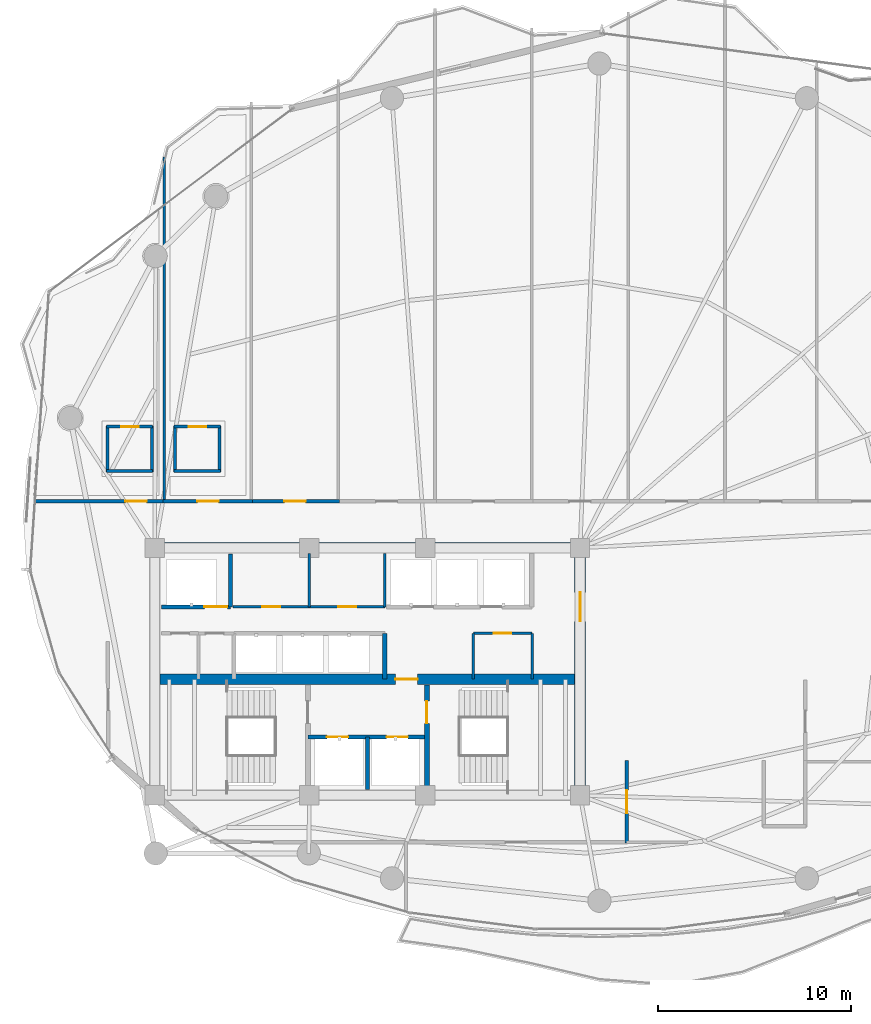
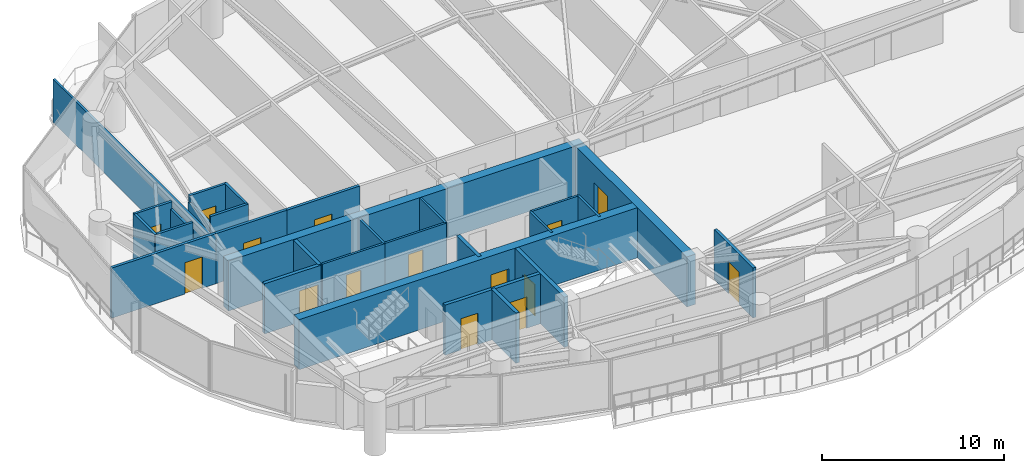
# One storey, part 25 of 30: 29 walls, 15 doors, 15 openings.
"""IFC4 building model written with IfcOpenShell, lengths in metres."""

import ifcopenshell
import ifcopenshell.guid

model = None  # the IFC model being written
_history = None  # IfcOwnerHistory: only IFC2X3 demands one
_inside = {}  # id of a spatial element -> (the spatial element, [elements in it])
_under = {}  # id of a project, library or spatial element -> (it, [spatial elements below it])
_declared = {}  # id of a project -> (the project, [libraries it declares])
_typed = {}  # id of a type object -> (the type object, [elements of that type])
_made_of = {}  # id of a material, layer set ... -> (it, [elements and type objects made of it])


def new_model(schema):
    """Start an empty IFC model of exactly this schema.

    Asked for "IFC4X3", IfcOpenShell would pick the latest addendum, in which some entities
    have other attributes; the version numbers below select the first issue.
    IFC2X3 requires an IfcOwnerHistory on every rooted entity: one is made here for all.
    """
    global model, _history
    if schema == "IFC4X3":
        model = ifcopenshell.file(schema_version=(4, 3, 0, 0))
    else:
        model = ifcopenshell.file(schema=schema)
    _inside.clear()
    _under.clear()
    _declared.clear()
    _typed.clear()
    _made_of.clear()
    _history = None
    if model.schema == "IFC2X3":
        org = make("IfcOrganization", Name="unknown")
        user = make(
            "IfcPersonAndOrganization",
            ThePerson=make("IfcPerson", FamilyName="unknown"),
            TheOrganization=org,
        )
        app = make(
            "IfcApplication",
            ApplicationDeveloper=org,
            Version="unknown",
            ApplicationFullName="unknown",
            ApplicationIdentifier="unknown",
        )
        _history = make(
            "IfcOwnerHistory",
            OwningUser=user,
            OwningApplication=app,
            ChangeAction="ADDED",
            CreationDate=0,
        )
    return model


def make(cls, **values):
    """One entity of the class cls with the attributes given. An attribute that is None is left unset."""
    return model.create_entity(
        cls, **{name: value for name, value in values.items() if value is not None}
    )


def rooted(cls, **values):
    """An entity with a GlobalId (a new one), such as an element, a storey or a relation."""
    return make(cls, GlobalId=ifcopenshell.guid.new(), OwnerHistory=_history, **values)


def si_unit(unit_type, name, prefix=None):
    """IfcSIUnit, for example si_unit("LENGTHUNIT", "METRE", prefix="MILLI")."""
    return make("IfcSIUnit", UnitType=unit_type, Prefix=prefix, Name=name)


def assignment(units):
    """IfcUnitAssignment: the units of a project."""
    return None if units is None else make("IfcUnitAssignment", Units=units)


def point(xyz):
    """IfcCartesianPoint."""
    return None if xyz is None else make("IfcCartesianPoint", Coordinates=xyz)


def direction(xyz):
    """IfcDirection."""
    return None if xyz is None else make("IfcDirection", DirectionRatios=xyz)


def frame(location, z_axis=None, x_axis=None):
    """IfcAxis2Placement3D, a coordinate frame: its origin and axes. An axis left out is left unset."""
    return make(
        "IfcAxis2Placement3D",
        Location=point(location),
        Axis=direction(z_axis),
        RefDirection=direction(x_axis),
    )


def frame_2d(location, x_axis=None):
    """IfcAxis2Placement2D, a coordinate frame in the plane: its origin and x axis."""
    return make(
        "IfcAxis2Placement2D", Location=point(location), RefDirection=direction(x_axis)
    )


def origin():
    """The frame at (0, 0, 0) with its axes left unset."""
    return frame((0.0, 0.0, 0.0))


def place(relative_to, where):
    """IfcLocalPlacement: puts the frame where relative to a parent placement (None: the world)."""
    return make(
        "IfcLocalPlacement", PlacementRelTo=relative_to, RelativePlacement=where
    )


def context(
    kind, dimensions, precision=None, world=None, true_north=None, identifier=None
):
    """IfcGeometricRepresentationContext, for example the 3D "Model" context."""
    return make(
        "IfcGeometricRepresentationContext",
        ContextIdentifier=identifier,
        ContextType=kind,
        CoordinateSpaceDimension=dimensions,
        Precision=precision,
        WorldCoordinateSystem=world,
        TrueNorth=true_north,
    )


def subcontext(parent, identifier, kind, view, scale=None):
    """IfcGeometricRepresentationSubContext, for example "Body" below "Model"."""
    return make(
        "IfcGeometricRepresentationSubContext",
        ContextIdentifier=identifier,
        ContextType=kind,
        ParentContext=parent,
        TargetScale=scale,
        TargetView=view,
    )


def project(units=None, contexts=None):
    """IfcProject with its units and contexts."""
    return rooted(
        "IfcProject",
        Name="project",
        RepresentationContexts=contexts,
        UnitsInContext=assignment(units),
    )


def spatial(cls, under=None, at=None, **own):
    """A site, building, storey or space (cls), placed at a placement, below another one or the project."""
    s = rooted(cls, ObjectPlacement=at, **own)
    if under is not None:
        _under.setdefault(under.id(), (under, []))[1].append(s)
    return s


def profile(cls, at=None, kind="AREA", **sizes):
    """A parametric profile (cls). Its sizes go by their IFC names, for example OverallWidth=200.0."""
    return make(cls, ProfileType=kind, Position=at, **sizes)


def rectangle(**sizes):
    """IfcRectangleProfileDef."""
    return profile("IfcRectangleProfileDef", **sizes)


def extrude(swept, where, along, depth):
    """IfcExtrudedAreaSolid: the profile swept, set in the frame where, extruded along a direction by depth."""
    return make(
        "IfcExtrudedAreaSolid",
        SweptArea=swept,
        Position=where,
        ExtrudedDirection=direction(along),
        Depth=depth,
    )


def shape(context_of_items, identifier, shape_type, items):
    """IfcShapeRepresentation: the items that make up one representation, for example the "Body"."""
    return make(
        "IfcShapeRepresentation",
        ContextOfItems=context_of_items,
        RepresentationIdentifier=identifier,
        RepresentationType=shape_type,
        Items=items,
    )


def material(Name=None, Category=None):
    """IfcMaterial."""
    return make("IfcMaterial", Name=Name, Category=Category)


def layer(
    of_material, thickness, ventilated=None, Name=None, Category=None, Priority=None
):
    """IfcMaterialLayer: one layer of a wall or slab, of a material (None: an air gap)."""
    return make(
        "IfcMaterialLayer",
        Material=of_material,
        LayerThickness=thickness,
        IsVentilated=ventilated,
        Name=Name,
        Category=Category,
        Priority=Priority,
    )


def layer_set(layers, Name=None):
    """IfcMaterialLayerSet."""
    return make("IfcMaterialLayerSet", MaterialLayers=layers, LayerSetName=Name)


def made_of(thing, what):
    """Note that an element or type object is made of a material, layer set ...; save() writes the relation."""
    if what is not None:
        _made_of.setdefault(what.id(), (what, []))[1].append(thing)
    return thing


def type_object(cls, material=None, **own):
    """A type object (cls), such as IfcWallType, which elements share."""
    return made_of(rooted(cls, **own), material)


def element(
    cls,
    number,
    at=None,
    inside=None,
    cuts=None,
    type_object=None,
    material=None,
    context=None,
    identifier="Body",
    shape_type=None,
    held_by="IfcProductDefinitionShape",
    body=None,
    shapes=None,
    **own,
):
    """One element of the class cls, such as IfcWall. Its Tag is "e" and its number.

    at: its placement. inside: the storey or other place that contains it. cuts: it is an
    opening in that element (IfcRelVoidsElement). A single representation is given by context,
    identifier, shape_type and body (its items); several are given by shapes. held_by: the class
    of the entity that holds the representations. save() writes the other relations.
    """
    e = rooted(cls, Tag="e%d" % number, ObjectPlacement=at, **own)
    if body is not None:
        shapes = [shape(context, identifier, shape_type, body)]
    if shapes is not None:
        e.Representation = make(held_by, Representations=shapes)
    if inside is not None:
        _inside.setdefault(inside.id(), (inside, []))[1].append(e)
    if cuts is not None:
        rooted(
            "IfcRelVoidsElement", RelatingBuildingElement=cuts, RelatedOpeningElement=e
        )
    if type_object is not None:
        _typed.setdefault(type_object.id(), (type_object, []))[1].append(e)
    return made_of(e, material)


def fill(opening, filler):
    """IfcRelFillsElement: the door or window that sits in an opening."""
    return rooted(
        "IfcRelFillsElement",
        RelatingOpeningElement=opening,
        RelatedBuildingElement=filler,
    )


def aggregate(whole, parts):
    """IfcRelAggregates: a whole, such as a stair, and the parts it consists of."""
    return rooted("IfcRelAggregates", RelatingObject=whole, RelatedObjects=parts)


def save(model, path):
    """Write the relations noted so far, then the file.

    IfcRelAggregates (storeys below a building ...), IfcRelContainedInSpatialStructure (elements
    in a storey), IfcRelDefinesByType, IfcRelAssociatesMaterial and IfcRelDeclares: one each for
    every whole, place, type object, material and project.
    """
    for whole, parts in _under.values():
        aggregate(whole, parts)
    for where, things in _inside.values():
        rooted(
            "IfcRelContainedInSpatialStructure",
            RelatedElements=things,
            RelatingStructure=where,
        )
    for kind, things in _typed.values():
        rooted("IfcRelDefinesByType", RelatedObjects=things, RelatingType=kind)
    for what, things in _made_of.values():
        rooted("IfcRelAssociatesMaterial", RelatedObjects=things, RelatingMaterial=what)
    for by, libraries in _declared.values():
        rooted("IfcRelDeclares", RelatingContext=by, RelatedDefinitions=libraries)
    model.write(path)


model = new_model("IFC4")

# Units and contexts
model_context = context("Model", 3, precision=1e-05, world=origin(), true_north=direction((0.0, 1.0)))
body_context = subcontext(model_context, "Body", "Model", "MODEL_VIEW")
ifc_project = project(units=[si_unit("LENGTHUNIT", "METRE"), si_unit("AREAUNIT", "SQUARE_METRE"), si_unit("VOLUMEUNIT", "CUBIC_METRE"), si_unit("PLANEANGLEUNIT", "RADIAN"), si_unit("MASSUNIT", "GRAM", prefix="KILO")], contexts=[model_context])

# Site, building, storey
site_placement = place(None, origin())
site = spatial("IfcSite", under=ifc_project, at=site_placement, CompositionType="ELEMENT")
building_placement = place(site_placement, origin())
building = spatial("IfcBuilding", under=site, at=building_placement, Name="Kazevale Care Tower and Concert Hall", CompositionType="ELEMENT")
storey_placement = place(building_placement, frame((0.0, 0.0, 127.800048828125)))
storey = spatial("IfcBuildingStorey", under=building, at=storey_placement, Name="L33", CompositionType="ELEMENT", Elevation=127.800048828125)

# Wall, opening, door
ifc_material_1 = material(Name="Acoustic Gypsum on Steel Stud", Category="steel")
ifc_layer_1 = layer(ifc_material_1, 0.139892578125)
ifc_layer_set_1 = layer_set([ifc_layer_1], Name="Acoustic Gypsum on Steel Stud")
wall_type_1 = type_object("IfcWallType", Name="Acoustic Care & Suite Partition 140", PredefinedType="PARTITIONING", material=ifc_layer_set_1)
wall_1_placement = place(storey_placement, frame((26.050048828125, 33.35009765625, 0.0), z_axis=(0.0, 0.0, 1.0), x_axis=(1.0, 0.0, 0.0)))
wall_1 = element("IfcWall", 1, at=wall_1_placement, inside=storey, type_object=wall_type_1, Name="wall:L33:c_rpl1_s", PredefinedType="PARTITIONING", context=body_context, shape_type="SweptSolid", body=[
    extrude(rectangle(XDim=3.949951171875, YDim=0.139892578125, at=frame_2d((1.97509765625, 0.0))), origin(), (0.0, 0.0, 1.0), 3.35986328125),
])
opening_1_placement = place(wall_1_placement, frame((1.514892578125, 0.0, 0.0)))
opening_1 = element("IfcOpeningElement", 2, at=opening_1_placement, cuts=wall_1, Name="Opening ID-900", PredefinedType="OPENING", context=body_context, shape_type="SweptSolid", body=[
    extrude(rectangle(XDim=0.919921875, YDim=2.10009765625, at=frame_2d((0.4599609375, 1.050048828125))), frame((0.0, 0.079833984375, 0.0), z_axis=(0.0, -1.0, 0.0), x_axis=(1.0, 0.0, 0.0)), (0.0, 0.0, 1.0), 0.159912109375),
])
ifc_material_2 = material(Name="Oak Timber Fire Leaf", Category="wood")
door_type_1 = type_object("IfcDoorType", Name="Bathroom & Service Door 920x2100", OperationType="NOTDEFINED", PredefinedType="DOOR", material=ifc_material_2)
door_1_placement = place(opening_1_placement, origin())
door_1 = element("IfcDoor", 3, at=door_1_placement, inside=storey, type_object=door_type_1, Name="door:L33:d_rpl1", OperationType="SINGLE_SWING_LEFT", OverallHeight=2.10009765625, OverallWidth=0.919921875, PredefinedType="DOOR", context=body_context, shape_type="SweptSolid", body=[
    extrude(rectangle(XDim=0.919921875, YDim=2.10009765625, at=frame_2d((0.4599609375, 1.050048828125))), frame((0.0, 0.02490234375, 0.0), z_axis=(0.0, -1.0, 0.0), x_axis=(1.0, 0.0, 0.0)), (0.0, 0.0, 1.0), 0.050048828125),
])
fill(opening_1, door_1)

wall_2_placement = place(storey_placement, frame((30.0, 33.35009765625, 0.0), z_axis=(0.0, 0.0, 1.0), x_axis=(1.0, 0.0, 0.0)))
wall_2 = element("IfcWall", 4, at=wall_2_placement, inside=storey, type_object=wall_type_1, Name="wall:L33:c_rpl2_s", PredefinedType="PARTITIONING", context=body_context, shape_type="SweptSolid", body=[
    extrude(rectangle(XDim=3.919921875, YDim=0.139892578125, at=frame_2d((1.9599609375, 0.0))), origin(), (0.0, 0.0, 1.0), 3.35986328125),
])
opening_2_placement = place(wall_2_placement, frame((1.5, 0.0, 0.0)))
opening_2 = element("IfcOpeningElement", 5, at=opening_2_placement, cuts=wall_2, Name="Opening ID-900", PredefinedType="OPENING", context=body_context, shape_type="SweptSolid", body=[
    extrude(rectangle(XDim=0.919921875, YDim=2.10009765625, at=frame_2d((0.4599609375, 1.050048828125))), frame((0.0, 0.079833984375, 0.0), z_axis=(0.0, -1.0, 0.0), x_axis=(1.0, 0.0, 0.0)), (0.0, 0.0, 1.0), 0.159912109375),
])
door_2_placement = place(opening_2_placement, origin())
door_2 = element("IfcDoor", 6, at=door_2_placement, inside=storey, type_object=door_type_1, Name="door:L33:d_rpl2", OperationType="SINGLE_SWING_RIGHT", OverallHeight=2.10009765625, OverallWidth=0.919921875, PredefinedType="DOOR", context=body_context, shape_type="SweptSolid", body=[
    extrude(rectangle(XDim=0.919921875, YDim=2.10009765625, at=frame_2d((0.4599609375, 1.050048828125))), frame((0.0, 0.02490234375, 0.0), z_axis=(0.0, -1.0, 0.0), x_axis=(1.0, 0.0, 0.0)), (0.0, 0.0, 1.0), 0.050048828125),
])
fill(opening_2, door_2)

# Walls
for number, where, z_axis, x_axis, name in (
    (7, (30.0, 33.35009765625, 0.0), (0.0, 0.0, 1.0), (0.0, 1.0, 0.0), "wall:L33:c_rpl_m"),
    (8, (33.89990234375, 33.35009765625, 0.0), (0.0, 0.0, 1.0), (0.0, 1.0, 0.0), "wall:L33:c_rpl_e"),
):
    element("IfcWall", number, at=place(storey_placement, frame(where, z_axis=z_axis, x_axis=x_axis)), inside=storey, type_object=wall_type_1, Name=name, PredefinedType="PARTITIONING", context=body_context, shape_type="SweptSolid", body=[
        extrude(rectangle(XDim=2.75, YDim=0.139892578125, at=frame_2d((1.375, 0.0))), origin(), (0.0, 0.0, 1.0), 3.35986328125),
    ])
for number, where, z_axis, x_axis, name in (
    (9, (38.47998046875, 29.6201171875, 0.0), (0.0, 0.0, 1.0), (0.0, 1.0, 0.0), "wall:L33:kb_ew"),
    (10, (41.52001953125, 29.6201171875, 0.0), (0.0, 0.0, 1.0), (0.0, 1.0, 0.0), "wall:L33:kb_ee"),
):
    element("IfcWall", number, at=place(storey_placement, frame(where, z_axis=z_axis, x_axis=x_axis)), inside=storey, type_object=wall_type_1, Name=name, PredefinedType="PARTITIONING", context=body_context, shape_type="SweptSolid", body=[
        extrude(rectangle(XDim=2.35986328125, YDim=0.139892578125, at=frame_2d((1.179931640625, 0.0))), origin(), (0.0, 0.0, 1.0), 3.35986328125),
    ])

# Wall, opening, door
wall_3_placement = place(storey_placement, frame((38.47998046875, 31.97998046875, 0.0), z_axis=(0.0, 0.0, 1.0), x_axis=(1.0, 0.0, 0.0)))
wall_3 = element("IfcWall", 11, at=wall_3_placement, inside=storey, type_object=wall_type_1, Name="wall:L33:kb_en", PredefinedType="PARTITIONING", context=body_context, shape_type="SweptSolid", body=[
    extrude(rectangle(XDim=3.0400390625, YDim=0.139892578125, at=frame_2d((1.52001953125, 0.0))), origin(), (0.0, 0.0, 1.0), 3.35986328125),
])
opening_3_placement = place(wall_3_placement, frame((1.044921875, 0.0, 0.0)))
opening_3 = element("IfcOpeningElement", 12, at=opening_3_placement, cuts=wall_3, Name="Opening ID-900", PredefinedType="OPENING", context=body_context, shape_type="SweptSolid", body=[
    extrude(rectangle(XDim=0.919921875, YDim=2.10009765625, at=frame_2d((0.4599609375, 1.050048828125))), frame((0.0, 0.079833984375, 0.0), z_axis=(0.0, -1.0, 0.0), x_axis=(1.0, 0.0, 0.0)), (0.0, 0.0, 1.0), 0.159912109375),
])
door_3_placement = place(opening_3_placement, origin())
door_3 = element("IfcDoor", 13, at=door_3_placement, inside=storey, type_object=door_type_1, Name="door:L33:d_kbe", OperationType="SINGLE_SWING_LEFT", OverallHeight=2.10009765625, OverallWidth=0.919921875, PredefinedType="DOOR", context=body_context, shape_type="SweptSolid", body=[
    extrude(rectangle(XDim=0.919921875, YDim=2.10009765625, at=frame_2d((0.4599609375, 1.050048828125))), frame((0.0, 0.02490234375, 0.0), z_axis=(0.0, -1.0, 0.0), x_axis=(1.0, 0.0, 0.0)), (0.0, 0.0, 1.0), 0.050048828125),
])
fill(opening_3, door_3)

# Walls
wall_4_placement = place(storey_placement, frame((22.5, 56.613037109375, 0.0), z_axis=(0.0, 0.0, 1.0), x_axis=(0.0, -1.0, 0.0)))
element("IfcWall", 14, at=wall_4_placement, inside=storey, type_object=wall_type_1, Name="wall:L33:auto_019", PredefinedType="PARTITIONING", context=body_context, shape_type="SweptSolid", body=[
    extrude(rectangle(XDim=17.818115234375, YDim=0.139892578125, at=frame_2d((8.9091796875, 0.0))), origin(), (0.0, 0.0, 1.0), 2.889892578125),
])
ifc_material_3 = material(Name="Concrete C60", Category="concrete")
ifc_layer_2 = layer(ifc_material_3, 0.550048828125)
ifc_layer_set_2 = layer_set([ifc_layer_2], Name="Concrete C60")
wall_type_2 = type_object("IfcWallType", Name="Core Shear Wall 550 C60", PredefinedType="SHEAR", material=ifc_layer_set_2)
wall_5_placement = place(storey_placement, frame((21.72509765625, 36.39990234375, 0.0), z_axis=(0.0, 0.0, 1.0), x_axis=(1.0, 0.0, 0.0)))
element("IfcWall", 15, at=wall_5_placement, inside=storey, type_object=wall_type_2, Name="wall:L33:core:N", PredefinedType="SHEAR", context=body_context, shape_type="SweptSolid", body=[
    extrude(rectangle(XDim=22.5498046875, YDim=0.550048828125, at=frame_2d((11.27490234375, 0.0))), origin(), (0.0, 0.0, 1.0), 3.35986328125),
])

# Wall, opening, door
wall_6_placement = place(storey_placement, frame((44.0, 23.875, 0.0), z_axis=(0.0, 0.0, 1.0), x_axis=(0.0, 1.0, 0.0)))
wall_6 = element("IfcWall", 16, at=wall_6_placement, inside=storey, type_object=wall_type_2, Name="wall:L33:core:E", PredefinedType="SHEAR", context=body_context, shape_type="SweptSolid", body=[
    extrude(rectangle(XDim=12.25, YDim=0.550048828125, at=frame_2d((6.125, 0.0))), origin(), (0.0, 0.0, 1.0), 3.35986328125),
])
opening_4_placement = place(wall_6_placement, frame((8.72509765625, 0.0, 0.0)))
opening_4 = element("IfcOpeningElement", 17, at=opening_4_placement, cuts=wall_6, Name="Opening FD-60D", PredefinedType="OPENING", context=body_context, shape_type="SweptSolid", body=[
    extrude(rectangle(XDim=1.5, YDim=2.14990234375, at=frame_2d((0.75, 1.074951171875))), frame((0.0, 0.284912109375, 0.0), z_axis=(0.0, -1.0, 0.0), x_axis=(1.0, 0.0, 0.0)), (0.0, 0.0, 1.0), 0.570068359375),
])
door_type_2 = type_object("IfcDoorType", Name="Double Lobby & Auditorium Fire Door 1500x2150", OperationType="NOTDEFINED", PredefinedType="DOOR", material=ifc_material_2)
door_4_placement = place(opening_4_placement, origin())
door_4 = element("IfcDoor", 18, at=door_4_placement, inside=storey, type_object=door_type_2, Name="door:L33:core_east_out", OperationType="DOUBLE_DOOR_SINGLE_SWING", OverallHeight=2.14990234375, OverallWidth=1.5, PredefinedType="DOOR", context=body_context, shape_type="SweptSolid", body=[
    extrude(rectangle(XDim=1.5, YDim=2.14990234375, at=frame_2d((0.75, 1.074951171875))), frame((0.0, 0.02490234375, 0.0), z_axis=(0.0, -1.0, 0.0), x_axis=(1.0, 0.0, 0.0)), (0.0, 0.0, 1.0), 0.050048828125),
])
fill(opening_4, door_4)

wall_7_placement = place(storey_placement, frame((22.27490234375, 29.60009765625, 0.0), z_axis=(0.0, 0.0, 1.0), x_axis=(1.0, 0.0, 0.0)))
wall_7 = element("IfcWall", 19, at=wall_7_placement, inside=storey, type_object=wall_type_2, Name="wall:L33:core:M", PredefinedType="SHEAR", context=body_context, shape_type="SweptSolid", body=[
    extrude(rectangle(XDim=21.4501953125, YDim=0.550048828125, at=frame_2d((10.72509765625, 0.0))), origin(), (0.0, 0.0, 1.0), 3.35986328125),
])
opening_5_placement = place(wall_7_placement, frame((12.175048828125, 0.0, 0.0)))
opening_5 = element("IfcOpeningElement", 20, at=opening_5_placement, cuts=wall_7, Name="Opening FD-90", PredefinedType="OPENING", context=body_context, shape_type="SweptSolid", body=[
    extrude(rectangle(XDim=1.14990234375, YDim=2.10009765625, at=frame_2d((0.574951171875, 1.050048828125))), frame((0.0, 0.284912109375, 0.0), z_axis=(0.0, -1.0, 0.0), x_axis=(1.0, 0.0, 0.0)), (0.0, 0.0, 1.0), 0.570068359375),
])
ifc_material_4 = material(Name="Steel ASTM A572 Gr 50", Category="steel")
door_type_3 = type_object("IfcDoorType", Name="Pressurized Stair & Lobby Fire Door 1150x2100", OperationType="NOTDEFINED", PredefinedType="DOOR", material=ifc_material_4)
door_5_placement = place(opening_5_placement, origin())
door_5 = element("IfcDoor", 21, at=door_5_placement, inside=storey, type_object=door_type_3, Name="door:L33:ff_to_pax", OperationType="SINGLE_SWING_LEFT", OverallHeight=2.10009765625, OverallWidth=1.14990234375, PredefinedType="DOOR", context=body_context, shape_type="SweptSolid", body=[
    extrude(rectangle(XDim=1.14990234375, YDim=2.10009765625, at=frame_2d((0.574951171875, 1.050048828125))), frame((0.0, 0.02490234375, 0.0), z_axis=(0.0, -1.0, 0.0), x_axis=(1.0, 0.0, 0.0)), (0.0, 0.0, 1.0), 0.050048828125),
])
fill(opening_5, door_5)

# Wall, openings, doors
ifc_material_5 = material(Name="Concrete C40", Category="concrete")
ifc_layer_3 = layer(ifc_material_5, 0.219970703125)
ifc_layer_set_3 = layer_set([ifc_layer_3], Name="Concrete C40")
wall_type_3 = type_object("IfcWallType", Name="Elevator Hoistway Shaft Wall 220", PredefinedType="SOLIDWALL", material=ifc_layer_set_3)
wall_8_placement = place(storey_placement, frame((29.919921875, 26.6201171875, 0.0), z_axis=(0.0, 0.0, 1.0), x_axis=(1.0, 0.0, 0.0)))
wall_8 = element("IfcWall", 22, at=wall_8_placement, inside=storey, type_object=wall_type_3, Name="wall:L33:c_ffl_n", PredefinedType="SOLIDWALL", context=body_context, shape_type="SweptSolid", body=[
    extrude(rectangle(XDim=6.16015625, YDim=0.219970703125, at=frame_2d((3.080078125, 0.0))), origin(), (0.0, 0.0, 1.0), 3.35986328125),
])
opening_6_placement = place(wall_8_placement, frame((0.989990234375, 0.0, 0.0)))
opening_6 = element("IfcOpeningElement", 23, at=opening_6_placement, cuts=wall_8, Name="Opening LD-FF", PredefinedType="OPENING", context=body_context, shape_type="SweptSolid", body=[
    extrude(rectangle(XDim=1.10009765625, YDim=2.10009765625, at=frame_2d((0.550048828125, 1.050048828125))), frame((0.0, 0.119873046875, 0.0), z_axis=(0.0, -1.0, 0.0), x_axis=(1.0, 0.0, 0.0)), (0.0, 0.0, 1.0), 0.239990234375),
])
opening_7_placement = place(wall_8_placement, frame((4.070068359375, 0.0, 0.0)))
opening_7 = element("IfcOpeningElement", 24, at=opening_7_placement, cuts=wall_8, Name="Opening LD-FF", PredefinedType="OPENING", context=body_context, shape_type="SweptSolid", body=[
    extrude(rectangle(XDim=1.10009765625, YDim=2.10009765625, at=frame_2d((0.550048828125, 1.050048828125))), frame((0.0, 0.119873046875, 0.0), z_axis=(0.0, -1.0, 0.0), x_axis=(1.0, 0.0, 0.0)), (0.0, 0.0, 1.0), 0.239990234375),
])
ifc_material_6 = material(Name="Stainless Steel 316", Category="steel")
door_type_4 = type_object("IfcDoorType", Name="Emergency Lift Sliding Landing Door 1100x2100", OperationType="NOTDEFINED", PredefinedType="DOOR", material=ifc_material_6)
door_6_placement = place(opening_6_placement, origin())
door_6 = element("IfcDoor", 25, at=door_6_placement, inside=storey, type_object=door_type_4, Name="door:L33:ld_ffl1", OperationType="SLIDING_TO_LEFT", OverallHeight=2.10009765625, OverallWidth=1.10009765625, PredefinedType="DOOR", context=body_context, shape_type="SweptSolid", body=[
    extrude(rectangle(XDim=1.10009765625, YDim=2.10009765625, at=frame_2d((0.550048828125, 1.050048828125))), frame((0.0, 0.02490234375, 0.0), z_axis=(0.0, -1.0, 0.0), x_axis=(1.0, 0.0, 0.0)), (0.0, 0.0, 1.0), 0.050048828125),
])
fill(opening_6, door_6)
door_7_placement = place(opening_7_placement, origin())
door_7 = element("IfcDoor", 26, at=door_7_placement, inside=storey, type_object=door_type_4, Name="door:L33:ld_ffl2", OperationType="SLIDING_TO_RIGHT", OverallHeight=2.10009765625, OverallWidth=1.10009765625, PredefinedType="DOOR", context=body_context, shape_type="SweptSolid", body=[
    extrude(rectangle(XDim=1.10009765625, YDim=2.10009765625, at=frame_2d((0.550048828125, 1.050048828125))), frame((0.0, 0.02490234375, 0.0), z_axis=(0.0, -1.0, 0.0), x_axis=(1.0, 0.0, 0.0)), (0.0, 0.0, 1.0), 0.050048828125),
])
fill(opening_7, door_7)

# Walls
wall_9_placement = place(storey_placement, frame((33.0, 23.89990234375, 0.0), z_axis=(0.0, 0.0, 1.0), x_axis=(0.0, 1.0, 0.0)))
element("IfcWall", 27, at=wall_9_placement, inside=storey, type_object=wall_type_3, Name="wall:L33:c_ffl_m", PredefinedType="SOLIDWALL", context=body_context, shape_type="SweptSolid", body=[
    extrude(rectangle(XDim=2.72021484375, YDim=0.219970703125, at=frame_2d((1.360107421875, 0.0))), origin(), (0.0, 0.0, 1.0), 3.35986328125),
])
wall_10_placement = place(storey_placement, frame((25.919921875, 33.35009765625, 0.0), z_axis=(0.0, 0.0, 1.0), x_axis=(0.0, 1.0, 0.0)))
element("IfcWall", 28, at=wall_10_placement, inside=storey, type_object=wall_type_3, Name="wall:L33:c_svl_e", PredefinedType="SOLIDWALL", context=body_context, shape_type="SweptSolid", body=[
    extrude(rectangle(XDim=2.72998046875, YDim=0.219970703125, at=frame_2d((1.364990234375, 0.0))), origin(), (0.0, 0.0, 1.0), 3.35986328125),
])

# Wall, opening, door
wall_11_placement = place(storey_placement, frame((22.35009765625, 33.35009765625, 0.0), z_axis=(0.0, 0.0, 1.0), x_axis=(1.0, 0.0, 0.0)))
wall_11 = element("IfcWall", 29, at=wall_11_placement, inside=storey, type_object=wall_type_3, Name="wall:L33:c_svl_s", PredefinedType="SOLIDWALL", context=body_context, shape_type="SweptSolid", body=[
    extrude(rectangle(XDim=3.56982421875, YDim=0.219970703125, at=frame_2d((1.784912109375, 0.0))), origin(), (0.0, 0.0, 1.0), 3.35986328125),
])
opening_8_placement = place(wall_11_placement, frame((2.212890625, 0.0, 0.0)))
opening_8 = element("IfcOpeningElement", 30, at=opening_8_placement, cuts=wall_11, Name="Opening LD-SV", PredefinedType="OPENING", context=body_context, shape_type="SweptSolid", body=[
    extrude(rectangle(XDim=1.199951171875, YDim=2.10009765625, at=frame_2d((0.60009765625, 1.050048828125))), frame((0.0, 0.119873046875, 0.0), z_axis=(0.0, -1.0, 0.0), x_axis=(1.0, 0.0, 0.0)), (0.0, 0.0, 1.0), 0.239990234375),
])
door_type_5 = type_object("IfcDoorType", Name="Service Lift Sliding Landing Door 1200x2100", OperationType="NOTDEFINED", PredefinedType="DOOR", material=ifc_material_6)
door_8_placement = place(opening_8_placement, origin())
door_8 = element("IfcDoor", 31, at=door_8_placement, inside=storey, type_object=door_type_5, Name="door:L33:ld_svl1", OperationType="SLIDING_TO_LEFT", OverallHeight=2.10009765625, OverallWidth=1.199951171875, PredefinedType="DOOR", context=body_context, shape_type="SweptSolid", body=[
    extrude(rectangle(XDim=1.199951171875, YDim=2.10009765625, at=frame_2d((0.60009765625, 1.050048828125))), frame((0.0, 0.02490234375, 0.0), z_axis=(0.0, -1.0, 0.0), x_axis=(1.0, 0.0, 0.0)), (0.0, 0.0, 1.0), 0.050048828125),
])
fill(opening_8, door_8)

# Wall
wall_12_placement = place(storey_placement, frame((33.89990234375, 29.6201171875, 0.0), z_axis=(0.0, 0.0, 1.0), x_axis=(0.0, 1.0, 0.0)))
element("IfcWall", 32, at=wall_12_placement, inside=storey, type_object=wall_type_3, Name="wall:L33:c_ph_e", PredefinedType="SOLIDWALL", context=body_context, shape_type="SweptSolid", body=[
    extrude(rectangle(XDim=2.35986328125, YDim=0.219970703125, at=frame_2d((1.179931640625, 0.0))), origin(), (0.0, 0.0, 1.0), 3.35986328125),
])

# Wall, opening, door
ifc_material_7 = material(Name="Concrete C40 and Acoustic Gypsum", Category="concrete")
ifc_layer_4 = layer(ifc_material_7, 0.179931640625)
ifc_layer_set_4 = layer_set([ifc_layer_4], Name="Concrete C40 and Acoustic Gypsum")
wall_type_4 = type_object("IfcWallType", Name="Fire-Rated Corridor & Party Wall 180", PredefinedType="PARTITIONING", material=ifc_layer_set_4)
wall_13_placement = place(storey_placement, frame((15.816650390625, 38.824951171875, 0.0), z_axis=(0.0, 0.0, 1.0), x_axis=(1.0, 0.0, 0.0)))
wall_13 = element("IfcWall", 33, at=wall_13_placement, inside=storey, type_object=wall_type_4, Name="wall:L33:auto_001", PredefinedType="PARTITIONING", context=body_context, shape_type="SweptSolid", body=[
    extrude(rectangle(XDim=6.748291015625, YDim=0.179931640625, at=frame_2d((3.3740234375, 0.0))), origin(), (0.0, 0.0, 1.0), 3.35986328125),
])
opening_9_placement = place(wall_13_placement, frame((4.6630859375, 0.0, 0.0)))
opening_9 = element("IfcOpeningElement", 34, at=opening_9_placement, cuts=wall_13, Name="Opening ID-1100", PredefinedType="OPENING", context=body_context, shape_type="SweptSolid", body=[
    extrude(rectangle(XDim=1.10009765625, YDim=2.10009765625, at=frame_2d((0.550048828125, 1.050048828125))), frame((0.0, 0.099853515625, 0.0), z_axis=(0.0, -1.0, 0.0), x_axis=(1.0, 0.0, 0.0)), (0.0, 0.0, 1.0), 0.199951171875),
])
door_type_6 = type_object("IfcDoorType", Name="Care Bedroom Accessible Door 1100x2100", OperationType="NOTDEFINED", PredefinedType="DOOR", material=ifc_material_2)
door_9_placement = place(opening_9_placement, origin())
door_9 = element("IfcDoor", 35, at=door_9_placement, inside=storey, type_object=door_type_6, Name="door:L33:ad_001", OperationType="SINGLE_SWING_LEFT", OverallHeight=2.10009765625, OverallWidth=1.10009765625, PredefinedType="DOOR", context=body_context, shape_type="SweptSolid", body=[
    extrude(rectangle(XDim=1.10009765625, YDim=2.10009765625, at=frame_2d((0.550048828125, 1.050048828125))), frame((0.0, 0.02490234375, 0.0), z_axis=(0.0, -1.0, 0.0), x_axis=(1.0, 0.0, 0.0)), (0.0, 0.0, 1.0), 0.050048828125),
])
fill(opening_9, door_9)

wall_14_placement = place(storey_placement, frame((22.43505859375, 38.824951171875, 0.0), z_axis=(0.0, 0.0, 1.0), x_axis=(1.0, 0.0, 0.0)))
wall_14 = element("IfcWall", 36, at=wall_14_placement, inside=storey, type_object=wall_type_4, Name="wall:L33:auto_002", PredefinedType="PARTITIONING", context=body_context, shape_type="SweptSolid", body=[
    extrude(rectangle(XDim=4.6298828125, YDim=0.179931640625, at=frame_2d((2.31494140625, 0.0))), origin(), (0.0, 0.0, 1.0), 3.35986328125),
])
opening_10_placement = place(wall_14_placement, frame((1.764892578125, 0.0, 0.0)))
opening_10 = element("IfcOpeningElement", 37, at=opening_10_placement, cuts=wall_14, Name="Opening ID-1100", PredefinedType="OPENING", context=body_context, shape_type="SweptSolid", body=[
    extrude(rectangle(XDim=1.10009765625, YDim=2.10009765625, at=frame_2d((0.550048828125, 1.050048828125))), frame((0.0, 0.099853515625, 0.0), z_axis=(0.0, -1.0, 0.0), x_axis=(1.0, 0.0, 0.0)), (0.0, 0.0, 1.0), 0.199951171875),
])
door_10_placement = place(opening_10_placement, origin())
door_10 = element("IfcDoor", 38, at=door_10_placement, inside=storey, type_object=door_type_6, Name="door:L33:ad_002", OperationType="SINGLE_SWING_LEFT", OverallHeight=2.10009765625, OverallWidth=1.10009765625, PredefinedType="DOOR", context=body_context, shape_type="SweptSolid", body=[
    extrude(rectangle(XDim=1.10009765625, YDim=2.10009765625, at=frame_2d((0.550048828125, 1.050048828125))), frame((0.0, 0.02490234375, 0.0), z_axis=(0.0, -1.0, 0.0), x_axis=(1.0, 0.0, 0.0)), (0.0, 0.0, 1.0), 0.050048828125),
])
fill(opening_10, door_10)

wall_15_placement = place(storey_placement, frame((26.93505859375, 38.824951171875, 0.0), z_axis=(0.0, 0.0, 1.0), x_axis=(1.0, 0.0, 0.0)))
wall_15 = element("IfcWall", 39, at=wall_15_placement, inside=storey, type_object=wall_type_4, Name="wall:L33:auto_003", PredefinedType="PARTITIONING", context=body_context, shape_type="SweptSolid", body=[
    extrude(rectangle(XDim=4.6298828125, YDim=0.179931640625, at=frame_2d((2.31494140625, 0.0))), origin(), (0.0, 0.0, 1.0), 3.35986328125),
])
opening_11_placement = place(wall_15_placement, frame((1.764892578125, 0.0, 0.0)))
opening_11 = element("IfcOpeningElement", 40, at=opening_11_placement, cuts=wall_15, Name="Opening ID-1100", PredefinedType="OPENING", context=body_context, shape_type="SweptSolid", body=[
    extrude(rectangle(XDim=1.10009765625, YDim=2.10009765625, at=frame_2d((0.550048828125, 1.050048828125))), frame((0.0, 0.099853515625, 0.0), z_axis=(0.0, -1.0, 0.0), x_axis=(1.0, 0.0, 0.0)), (0.0, 0.0, 1.0), 0.199951171875),
])
door_11_placement = place(opening_11_placement, origin())
door_11 = element("IfcDoor", 41, at=door_11_placement, inside=storey, type_object=door_type_6, Name="door:L33:ad_003", OperationType="SINGLE_SWING_LEFT", OverallHeight=2.10009765625, OverallWidth=1.10009765625, PredefinedType="DOOR", context=body_context, shape_type="SweptSolid", body=[
    extrude(rectangle(XDim=1.10009765625, YDim=2.10009765625, at=frame_2d((0.550048828125, 1.050048828125))), frame((0.0, 0.02490234375, 0.0), z_axis=(0.0, -1.0, 0.0), x_axis=(1.0, 0.0, 0.0)), (0.0, 0.0, 1.0), 0.050048828125),
])
fill(opening_11, door_11)

wall_16_placement = place(storey_placement, frame((46.425048828125, 25.405029296875, 0.0), z_axis=(0.0, 0.0, 1.0), x_axis=(0.0, -1.0, 0.0)))
wall_16 = element("IfcWall", 42, at=wall_16_placement, inside=storey, type_object=wall_type_4, Name="wall:L33:auto_011", PredefinedType="PARTITIONING", context=body_context, shape_type="SweptSolid", body=[
    extrude(rectangle(XDim=4.260009765625, YDim=0.179931640625, at=frame_2d((2.1298828125, 0.0))), origin(), (0.0, 0.0, 1.0), 3.35986328125),
])
opening_12_placement = place(wall_16_placement, frame((1.530029296875, 0.0, 0.0)))
opening_12 = element("IfcOpeningElement", 43, at=opening_12_placement, cuts=wall_16, Name="Opening ID-1200", PredefinedType="OPENING", context=body_context, shape_type="SweptSolid", body=[
    extrude(rectangle(XDim=1.199951171875, YDim=2.14990234375, at=frame_2d((0.60009765625, 1.074951171875))), frame((0.0, 0.099853515625, 0.0), z_axis=(0.0, -1.0, 0.0), x_axis=(1.0, 0.0, 0.0)), (0.0, 0.0, 1.0), 0.199951171875),
])
door_type_7 = type_object("IfcDoorType", Name="Clinical & Therapy Door 1200x2150", OperationType="NOTDEFINED", PredefinedType="DOOR", material=ifc_material_2)
door_12_placement = place(opening_12_placement, origin())
door_12 = element("IfcDoor", 44, at=door_12_placement, inside=storey, type_object=door_type_7, Name="door:L33:ad_011", OperationType="SINGLE_SWING_LEFT", OverallHeight=2.14990234375, OverallWidth=1.199951171875, PredefinedType="DOOR", context=body_context, shape_type="SweptSolid", body=[
    extrude(rectangle(XDim=1.199951171875, YDim=2.14990234375, at=frame_2d((0.60009765625, 1.074951171875))), frame((0.0, 0.02490234375, 0.0), z_axis=(0.0, -1.0, 0.0), x_axis=(1.0, 0.0, 0.0)), (0.0, 0.0, 1.0), 0.050048828125),
])
fill(opening_12, door_12)

# Wall
ifc_layer_5 = layer(ifc_material_1, 0.159912109375)
ifc_layer_set_5 = layer_set([ifc_layer_5], Name="Acoustic Gypsum on Steel Stud")
wall_type_5 = type_object("IfcWallType", Name="Moisture-Resistant Bathroom Plumbing Wall 160", PredefinedType="PLUMBINGWALL", material=ifc_layer_set_5)
wall_17_placement = place(storey_placement, frame((19.51806640625, 40.375, 0.0), z_axis=(0.0, 0.0, 1.0), x_axis=(1.0, 0.0, 0.0)))
element("IfcWall", 45, at=wall_17_placement, inside=storey, type_object=wall_type_5, Name="wall:L33:nb1_ens_ws", PredefinedType="PLUMBINGWALL", context=body_context, shape_type="SweptSolid", body=[
    extrude(rectangle(XDim=2.3798828125, YDim=0.159912109375, at=frame_2d((1.18994140625, 0.0))), origin(), (0.0, 0.0, 1.0), 3.35986328125),
])

# Wall, opening, door
wall_18_placement = place(storey_placement, frame((19.51806640625, 42.675048828125, 0.0), z_axis=(0.0, 0.0, 1.0), x_axis=(1.0, 0.0, 0.0)))
wall_18 = element("IfcWall", 46, at=wall_18_placement, inside=storey, type_object=wall_type_5, Name="wall:L33:nb1_ens_wn", PredefinedType="PLUMBINGWALL", context=body_context, shape_type="SweptSolid", body=[
    extrude(rectangle(XDim=2.3798828125, YDim=0.159912109375, at=frame_2d((1.18994140625, 0.0))), origin(), (0.0, 0.0, 1.0), 3.35986328125),
])
opening_13_placement = place(wall_18_placement, frame((0.739990234375, 0.0, 0.0)))
opening_13 = element("IfcOpeningElement", 47, at=opening_13_placement, cuts=wall_18, Name="Opening ID-900", PredefinedType="OPENING", context=body_context, shape_type="SweptSolid", body=[
    extrude(rectangle(XDim=0.919921875, YDim=2.10009765625, at=frame_2d((0.4599609375, 1.050048828125))), frame((0.0, 0.08984375, 0.0), z_axis=(0.0, -1.0, 0.0), x_axis=(1.0, 0.0, 0.0)), (0.0, 0.0, 1.0), 0.179931640625),
])
door_13_placement = place(opening_13_placement, origin())
door_13 = element("IfcDoor", 48, at=door_13_placement, inside=storey, type_object=door_type_1, Name="door:L33:nb1_ens_d", OperationType="SINGLE_SWING_RIGHT", OverallHeight=2.10009765625, OverallWidth=0.919921875, PredefinedType="DOOR", context=body_context, shape_type="SweptSolid", body=[
    extrude(rectangle(XDim=0.919921875, YDim=2.10009765625, at=frame_2d((0.4599609375, 1.050048828125))), frame((0.0, 0.02490234375, 0.0), z_axis=(0.0, -1.0, 0.0), x_axis=(1.0, 0.0, 0.0)), (0.0, 0.0, 1.0), 0.050048828125),
])
fill(opening_13, door_13)

# Walls
wall_19_placement = place(storey_placement, frame((19.55810546875, 40.3349609375, 0.0), z_axis=(0.0, 0.0, 1.0), x_axis=(0.0, 1.0, 0.0)))
element("IfcWall", 49, at=wall_19_placement, inside=storey, type_object=wall_type_5, Name="wall:L33:nb1_ens_ww", PredefinedType="PLUMBINGWALL", context=body_context, shape_type="SweptSolid", body=[
    extrude(rectangle(XDim=2.380126953125, YDim=0.159912109375, at=frame_2d((1.18994140625, 0.0))), origin(), (0.0, 0.0, 1.0), 3.35986328125),
])
wall_20_placement = place(storey_placement, frame((21.85791015625, 40.3349609375, 0.0), z_axis=(0.0, 0.0, 1.0), x_axis=(0.0, 1.0, 0.0)))
element("IfcWall", 50, at=wall_20_placement, inside=storey, type_object=wall_type_5, Name="wall:L33:nb1_ens_we", PredefinedType="PLUMBINGWALL", context=body_context, shape_type="SweptSolid", body=[
    extrude(rectangle(XDim=2.380126953125, YDim=0.159912109375, at=frame_2d((1.18994140625, 0.0))), origin(), (0.0, 0.0, 1.0), 2.889892578125),
])
wall_21_placement = place(storey_placement, frame((23.010009765625, 40.375, 0.0), z_axis=(0.0, 0.0, 1.0), x_axis=(1.0, 0.0, 0.0)))
element("IfcWall", 51, at=wall_21_placement, inside=storey, type_object=wall_type_5, Name="wall:L33:nb2a_ens_ws", PredefinedType="PLUMBINGWALL", context=body_context, shape_type="SweptSolid", body=[
    extrude(rectangle(XDim=2.3798828125, YDim=0.159912109375, at=frame_2d((1.18994140625, 0.0))), origin(), (0.0, 0.0, 1.0), 3.35986328125),
])

# Wall, opening, door
wall_22_placement = place(storey_placement, frame((23.010009765625, 42.675048828125, 0.0), z_axis=(0.0, 0.0, 1.0), x_axis=(1.0, 0.0, 0.0)))
wall_22 = element("IfcWall", 52, at=wall_22_placement, inside=storey, type_object=wall_type_5, Name="wall:L33:nb2a_ens_wn", PredefinedType="PLUMBINGWALL", context=body_context, shape_type="SweptSolid", body=[
    extrude(rectangle(XDim=2.3798828125, YDim=0.159912109375, at=frame_2d((1.18994140625, 0.0))), origin(), (0.0, 0.0, 1.0), 3.35986328125),
])
opening_14_placement = place(wall_22_placement, frame((0.739990234375, 0.0, 0.0)))
opening_14 = element("IfcOpeningElement", 53, at=opening_14_placement, cuts=wall_22, Name="Opening ID-900", PredefinedType="OPENING", context=body_context, shape_type="SweptSolid", body=[
    extrude(rectangle(XDim=0.919921875, YDim=2.10009765625, at=frame_2d((0.4599609375, 1.050048828125))), frame((0.0, 0.08984375, 0.0), z_axis=(0.0, -1.0, 0.0), x_axis=(1.0, 0.0, 0.0)), (0.0, 0.0, 1.0), 0.179931640625),
])
door_14_placement = place(opening_14_placement, origin())
door_14 = element("IfcDoor", 54, at=door_14_placement, inside=storey, type_object=door_type_1, Name="door:L33:nb2a_ens_d", OperationType="SINGLE_SWING_LEFT", OverallHeight=2.10009765625, OverallWidth=0.919921875, PredefinedType="DOOR", context=body_context, shape_type="SweptSolid", body=[
    extrude(rectangle(XDim=0.919921875, YDim=2.10009765625, at=frame_2d((0.4599609375, 1.050048828125))), frame((0.0, 0.02490234375, 0.0), z_axis=(0.0, -1.0, 0.0), x_axis=(1.0, 0.0, 0.0)), (0.0, 0.0, 1.0), 0.050048828125),
])
fill(opening_14, door_14)

# Walls
wall_23_placement = place(storey_placement, frame((23.050048828125, 40.3349609375, 0.0), z_axis=(0.0, 0.0, 1.0), x_axis=(0.0, 1.0, 0.0)))
element("IfcWall", 55, at=wall_23_placement, inside=storey, type_object=wall_type_5, Name="wall:L33:nb2a_ens_ww", PredefinedType="PLUMBINGWALL", context=body_context, shape_type="SweptSolid", body=[
    extrude(rectangle(XDim=2.380126953125, YDim=0.159912109375, at=frame_2d((1.18994140625, 0.0))), origin(), (0.0, 0.0, 1.0), 2.889892578125),
])
wall_24_placement = place(storey_placement, frame((25.35009765625, 40.3349609375, 0.0), z_axis=(0.0, 0.0, 1.0), x_axis=(0.0, 1.0, 0.0)))
element("IfcWall", 56, at=wall_24_placement, inside=storey, type_object=wall_type_5, Name="wall:L33:nb2a_ens_we", PredefinedType="PLUMBINGWALL", context=body_context, shape_type="SweptSolid", body=[
    extrude(rectangle(XDim=2.380126953125, YDim=0.159912109375, at=frame_2d((1.18994140625, 0.0))), origin(), (0.0, 0.0, 1.0), 3.35986328125),
])

# Wall, opening, door
ifc_layer_6 = layer(ifc_material_5, 0.25)
ifc_layer_set_6 = layer_set([ifc_layer_6], Name="Concrete C40")
wall_type_6 = type_object("IfcWallType", Name="Pressurized Stair Shaft Wall 250", PredefinedType="SOLIDWALL", material=ifc_layer_set_6)
wall_25_placement = place(storey_placement, frame((36.080078125, 23.89990234375, 0.0), z_axis=(0.0, 0.0, 1.0), x_axis=(0.0, 1.0, 0.0)))
wall_25 = element("IfcWall", 57, at=wall_25_placement, inside=storey, type_object=wall_type_6, Name="wall:L33:c_st2_w", PredefinedType="SOLIDWALL", context=body_context, shape_type="SweptSolid", body=[
    extrude(rectangle(XDim=5.400146484375, YDim=0.25, at=frame_2d((2.7001953125, 0.0))), origin(), (0.0, 0.0, 1.0), 3.35986328125),
])
opening_15_placement = place(wall_25_placement, frame((3.4208984375, 0.0, 0.0)))
opening_15 = element("IfcOpeningElement", 58, at=opening_15_placement, cuts=wall_25, Name="Opening FD-90", PredefinedType="OPENING", context=body_context, shape_type="SweptSolid", body=[
    extrude(rectangle(XDim=1.14990234375, YDim=2.10009765625, at=frame_2d((0.574951171875, 1.050048828125))), frame((0.0, 0.135009765625, 0.0), z_axis=(0.0, -1.0, 0.0), x_axis=(1.0, 0.0, 0.0)), (0.0, 0.0, 1.0), 0.27001953125),
])
door_15_placement = place(opening_15_placement, origin())
door_15 = element("IfcDoor", 59, at=door_15_placement, inside=storey, type_object=door_type_3, Name="door:L33:st2", OperationType="SINGLE_SWING_LEFT", OverallHeight=2.10009765625, OverallWidth=1.14990234375, PredefinedType="DOOR", context=body_context, shape_type="SweptSolid", body=[
    extrude(rectangle(XDim=1.14990234375, YDim=2.10009765625, at=frame_2d((0.574951171875, 1.050048828125))), frame((0.0, 0.02490234375, 0.0), z_axis=(0.0, -1.0, 0.0), x_axis=(1.0, 0.0, 0.0)), (0.0, 0.0, 1.0), 0.050048828125),
])
fill(opening_15, door_15)

save(model, "model.ifc")
